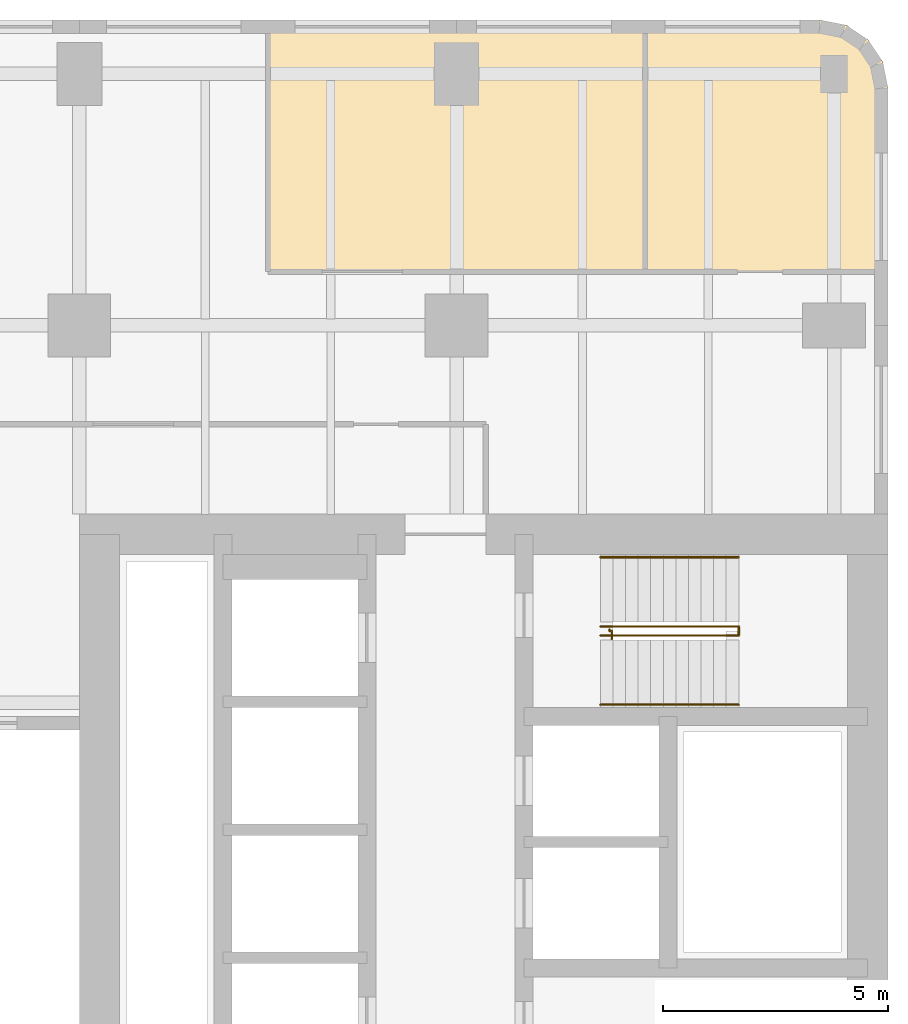
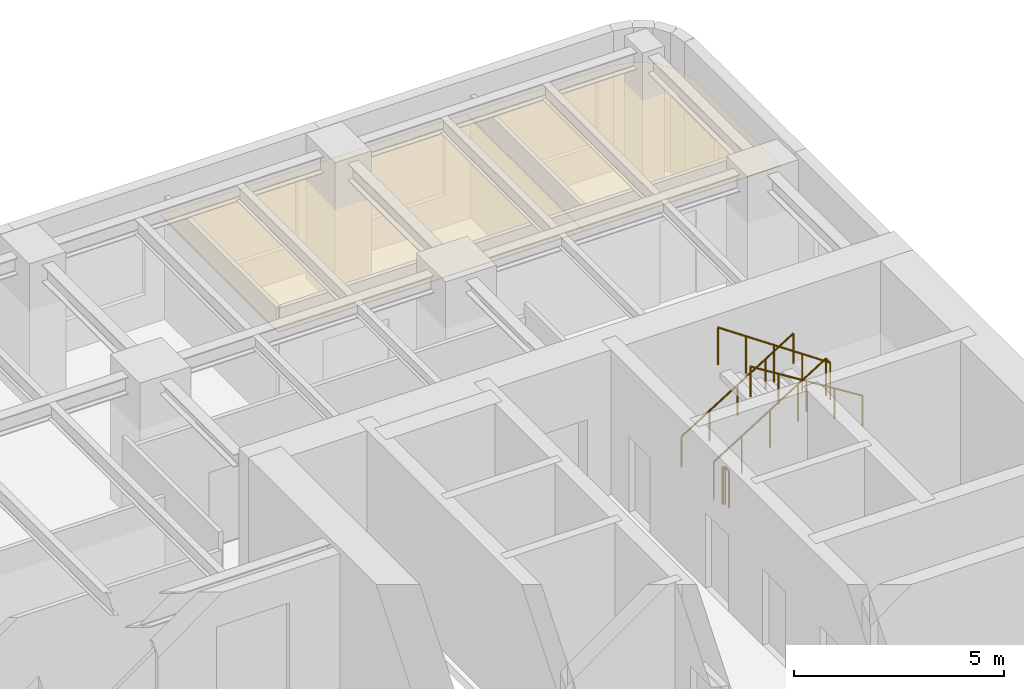
# One storey, part 14 of 14: 4 railings, 2 coverings.
"""IFC4 building model written with IfcOpenShell, lengths in metres."""

from ifc_helpers import new_model, si_unit, direction, frame, origin, origin_2d, place, context, subcontext, project, spatial, polyline, circle, outline, extrude, material, layer, layer_set, type_object, element, save


model = new_model("IFC4")

# Units and contexts
model_context = context("Model", 3, precision=1e-05, world=origin(), true_north=direction((0.0, 1.0)))
body_context = subcontext(model_context, "Body", "Model", "MODEL_VIEW")
ifc_project = project(units=[si_unit("LENGTHUNIT", "METRE"), si_unit("AREAUNIT", "SQUARE_METRE"), si_unit("VOLUMEUNIT", "CUBIC_METRE"), si_unit("PLANEANGLEUNIT", "RADIAN"), si_unit("MASSUNIT", "GRAM", prefix="KILO")], contexts=[model_context])

# Site, building, storey
site_placement = place(None, origin())
site = spatial("IfcSite", under=ifc_project, at=site_placement, CompositionType="ELEMENT")
building_placement = place(site_placement, origin())
building = spatial("IfcBuilding", under=site, at=building_placement, Name="Claustro Exchange Tower", CompositionType="ELEMENT")
storey_placement = place(building_placement, frame((0.0, 0.0, 100.800048828125)))
storey = spatial("IfcBuildingStorey", under=building, at=storey_placement, Name="L22", CompositionType="ELEMENT", Elevation=100.800048828125)

# Coverings
ifc_material_1 = material(Name="Gypsum board ceiling", Category="gypsum board")
ifc_layer = layer(ifc_material_1, 0.02490234375)
ifc_layer_set = layer_set([ifc_layer], Name="Gypsum board ceiling")
covering_type = type_object("IfcCoveringType", Name="CL2 plasterboard ceiling", PredefinedType="CEILING", material=ifc_layer_set)
covering_1_placement = place(storey_placement, frame((0.0, 0.0, 2.800048828125)))
element("IfcCovering", 1, at=covering_1_placement, inside=storey, type_object=covering_type, Name="Ceiling CL2 L22-20", PredefinedType="CEILING", context=body_context, shape_type="SweptSolid", body=[
    extrude(outline(polyline([(46.199951171875, 48.800048828125), (37.800048828125, 48.800048828125), (37.800048828125, 43.199951171875), (46.199951171875, 43.199951171875), (46.199951171875, 48.800048828125)])), origin(), (0.0, 0.0, 1.0), 0.02490234375),
])
covering_2_placement = place(storey_placement, frame((0.0, 0.0, 2.800048828125)))
element("IfcCovering", 2, at=covering_2_placement, inside=storey, type_object=covering_type, Name="Ceiling CL2 L22-21", PredefinedType="CEILING", context=body_context, shape_type="SweptSolid", body=[
    extrude(outline(polyline([(50.10009765625, 48.800048828125), (46.199951171875, 48.800048828125), (46.199951171875, 43.199951171875), (51.60009765625, 43.199951171875), (51.60009765625, 47.300048828125), (51.48583984375, 47.8740234375), (51.16064453125, 48.360595703125), (50.674072265625, 48.685791015625), (50.10009765625, 48.800048828125)])), origin(), (0.0, 0.0, 1.0), 0.02490234375),
])

# Railings
ifc_material_2 = material(Name="Steel balustrade, painted", Category="steel")
railing_type_1 = type_object("IfcRailingType", Name="GR2 1100 steel stair guard", PredefinedType="GUARDRAIL", material=ifc_material_2)
railing_1_placement = place(storey_placement, frame((45.199951171875, 35.300048828125, 0.175048828125)))
element("IfcRailing", 3, at=railing_1_placement, inside=storey, type_object=railing_type_1, Name="Stair well guard GR2 stair STEB L22", PredefinedType="GUARDRAIL", context=body_context, shape_type="SweptSolid", body=[
    extrude(circle(Radius=0.02392578125, at=origin_2d()), frame((0.0, 0.0, 1.076171875), z_axis=(0.848028513186, 0.0, 0.529950602248), x_axis=(0.0, 1.0, 0.0)), (0.0, 0.0, 1.0), 3.632080078125),
    extrude(circle(Radius=0.02392578125, at=origin_2d()), frame((3.080078125, 0.0, 3.0009765625), z_axis=(0.0, -1.0, 0.0), x_axis=(1.0, 0.0, 0.0)), (0.0, 0.0, 1.0), 0.199951171875),
    extrude(circle(Radius=0.02392578125, at=origin_2d()), frame((3.080078125, -0.199951171875, 3.0009765625), z_axis=(-0.826221800596, 0.0, 0.563344953133), x_axis=(0.0, -1.0, 0.0)), (0.0, 0.0, 1.0), 3.72802734375),
    extrude(circle(Radius=0.02099609375, at=origin_2d()), origin(), (0.0, 0.0, 1.0), 1.052001953125),
    extrude(circle(Radius=0.02099609375, at=origin_2d()), frame((0.77001953125, 0.0, 0.481201171875)), (0.0, 0.0, 1.0), 1.052001953125),
    extrude(circle(Radius=0.02099609375, at=origin_2d()), frame((1.5400390625, 0.0, 0.96240234375)), (0.0, 0.0, 1.0), 1.052001953125),
    extrude(circle(Radius=0.02099609375, at=origin_2d()), frame((2.31005859375, 0.0, 1.443603515625)), (0.0, 0.0, 1.0), 1.052001953125),
    extrude(circle(Radius=0.02099609375, at=origin_2d()), frame((3.080078125, 0.0, 1.9248046875)), (0.0, 0.0, 1.0), 1.052001953125),
    extrude(circle(Radius=0.02099609375, at=origin_2d()), frame((3.080078125, -0.199951171875, 1.9248046875)), (0.0, 0.0, 1.0), 1.052001953125),
    extrude(circle(Radius=0.02099609375, at=origin_2d()), frame((2.31005859375, -0.199951171875, 2.44970703125)), (0.0, 0.0, 1.0), 1.052001953125),
    extrude(circle(Radius=0.02099609375, at=origin_2d()), frame((1.5400390625, -0.199951171875, 2.974853515625)), (0.0, 0.0, 1.0), 1.052001953125),
    extrude(circle(Radius=0.02099609375, at=origin_2d()), frame((0.77001953125, -0.199951171875, 3.5)), (0.0, 0.0, 1.0), 1.052001953125),
    extrude(circle(Radius=0.02099609375, at=origin_2d()), frame((0.0, -0.199951171875, 4.02490234375)), (0.0, 0.0, 1.0), 1.052001953125),
])
railing_2_placement = place(storey_placement, frame((45.39990234375, 35.22998046875, 0.0)))
element("IfcRailing", 4, at=railing_2_placement, inside=storey, type_object=railing_type_1, Name="Stair guard GR2 STEB L22", PredefinedType="GUARDRAIL", context=body_context, shape_type="SweptSolid", body=[
    extrude(circle(Radius=0.02392578125, at=origin_2d()), frame((0.0, 0.0, 1.076171875), z_axis=(0.0, -1.0, 0.0), x_axis=(1.0, 0.0, 0.0)), (0.0, 0.0, 1.0), 0.030029296875),
    extrude(circle(Radius=0.02392578125, at=origin_2d()), frame((0.0, -0.030029296875, 1.076171875), z_axis=(1.0, 0.0, 0.0), x_axis=(0.0, 1.0, 0.0)), (0.0, 0.0, 1.0), 0.05517578125),
    extrude(circle(Radius=0.02392578125, at=origin_2d()), frame((0.05517578125, -0.030029296875, 1.076171875), z_axis=(0.0, -1.0, 0.0), x_axis=(1.0, 0.0, 0.0)), (0.0, 0.0, 1.0), 0.179931640625),
    extrude(circle(Radius=0.02099609375, at=origin_2d()), origin(), (0.0, 0.0, 1.0), 1.052001953125),
    extrude(circle(Radius=0.02099609375, at=origin_2d()), frame((0.0, -0.030029296875, 0.0)), (0.0, 0.0, 1.0), 1.052001953125),
    extrude(circle(Radius=0.02099609375, at=origin_2d()), frame((0.05517578125, -0.030029296875, 0.0)), (0.0, 0.0, 1.0), 1.052001953125),
    extrude(circle(Radius=0.02099609375, at=origin_2d()), frame((0.05517578125, -0.2099609375, 0.0)), (0.0, 0.0, 1.0), 1.052001953125),
])
ifc_material_3 = material(Name="Stainless steel tube", Category="steel")
railing_type_2 = type_object("IfcRailingType", Name="HR1 900 stair handrail", PredefinedType="HANDRAIL", material=ifc_material_3)
railing_3_placement = place(storey_placement, frame((45.199951171875, 36.840087890625, 0.175048828125)))
element("IfcRailing", 5, at=railing_3_placement, inside=storey, type_object=railing_type_2, Name="Handrail HR1 stair STEB L22", PredefinedType="HANDRAIL", context=body_context, shape_type="SweptSolid", body=[
    extrude(circle(Radius=0.02392578125, at=origin_2d()), frame((0.0, 0.0, 0.8759765625), z_axis=(0.848028513186, 0.0, 0.529950602248), x_axis=(0.0, 1.0, 0.0)), (0.0, 0.0, 1.0), 3.632080078125),
    extrude(circle(Radius=0.02099609375, at=origin_2d()), origin(), (0.0, 0.0, 1.0), 0.851806640625),
    extrude(circle(Radius=0.02099609375, at=origin_2d()), frame((0.77001953125, 0.0, 0.481201171875)), (0.0, 0.0, 1.0), 0.851806640625),
    extrude(circle(Radius=0.02099609375, at=origin_2d()), frame((1.5400390625, 0.0, 0.96240234375)), (0.0, 0.0, 1.0), 0.851806640625),
    extrude(circle(Radius=0.02099609375, at=origin_2d()), frame((2.31005859375, 0.0, 1.443603515625)), (0.0, 0.0, 1.0), 0.851806640625),
    extrude(circle(Radius=0.02099609375, at=origin_2d()), frame((3.080078125, 0.0, 1.9248046875)), (0.0, 0.0, 1.0), 0.851806640625),
])
railing_4_placement = place(storey_placement, frame((48.280029296875, 33.56005859375, 2.27490234375)))
element("IfcRailing", 6, at=railing_4_placement, inside=storey, type_object=railing_type_2, Name="Handrail HR1 stair STEB L22", PredefinedType="HANDRAIL", context=body_context, shape_type="SweptSolid", body=[
    extrude(circle(Radius=0.02392578125, at=origin_2d()), frame((0.0, 0.0, 0.8759765625), z_axis=(-0.847998304005, 0.0, 0.529998940003), x_axis=(0.0, -1.0, 0.0)), (0.0, 0.0, 1.0), 3.632080078125),
    extrude(circle(Radius=0.02099609375, at=origin_2d()), origin(), (0.0, 0.0, 1.0), 0.851806640625),
    extrude(circle(Radius=0.02099609375, at=origin_2d()), frame((-0.77001953125, 0.0, 0.481201171875)), (0.0, 0.0, 1.0), 0.851806640625),
    extrude(circle(Radius=0.02099609375, at=origin_2d()), frame((-1.5400390625, 0.0, 0.96240234375)), (0.0, 0.0, 1.0), 0.851806640625),
    extrude(circle(Radius=0.02099609375, at=origin_2d()), frame((-2.31005859375, 0.0, 1.44384765625)), (0.0, 0.0, 1.0), 0.851806640625),
    extrude(circle(Radius=0.02099609375, at=origin_2d()), frame((-3.080078125, 0.0, 1.925048828125)), (0.0, 0.0, 1.0), 0.851806640625),
])

save(model, "model.ifc")
